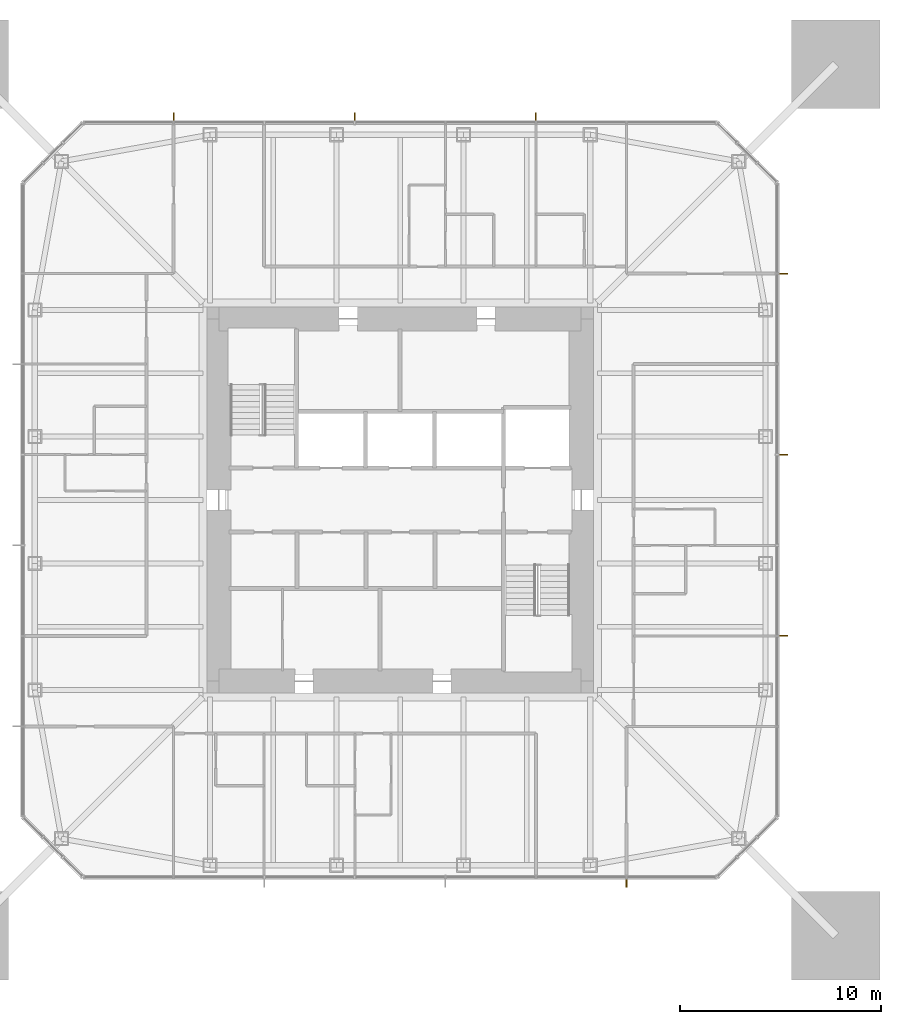
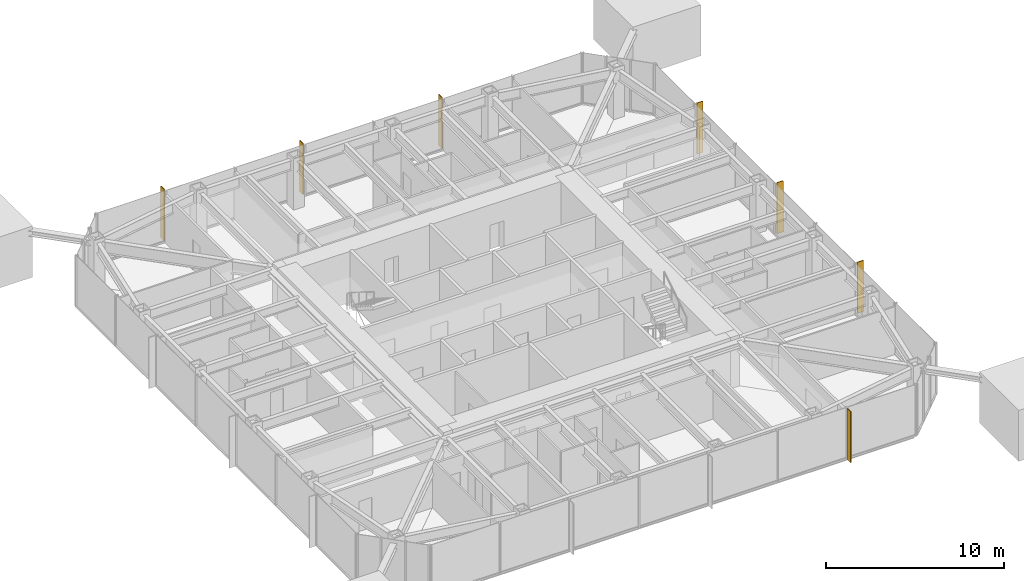
# One storey, part 11 of 11: 7 shading devices.
"""IFC4 building model written with IfcOpenShell, lengths in metres."""

from ifc_helpers import new_model, si_unit, direction, frame, origin, origin_2d, place, context, subcontext, project, spatial, rectangle, extrude, material, layer, layer_set, type_object, element, save


model = new_model("IFC4")

# Units and contexts
model_context = context("Model", 3, precision=1e-05, world=origin(), true_north=direction((0.0, 1.0)))
body_context = subcontext(model_context, "Body", "Model", "MODEL_VIEW")
ifc_project = project(units=[si_unit("LENGTHUNIT", "METRE"), si_unit("AREAUNIT", "SQUARE_METRE"), si_unit("VOLUMEUNIT", "CUBIC_METRE"), si_unit("PLANEANGLEUNIT", "RADIAN"), si_unit("MASSUNIT", "GRAM", prefix="KILO")], contexts=[model_context])

# Site, building, storey
site_placement = place(None, origin())
site = spatial("IfcSite", under=ifc_project, at=site_placement, CompositionType="ELEMENT")
building_placement = place(site_placement, origin())
building = spatial("IfcBuilding", under=site, at=building_placement, Name="Iwan Alto Co-Living Towers", CompositionType="ELEMENT")
storey_placement = place(building_placement, frame((0.0, 0.0, 188.0)))
storey = spatial("IfcBuildingStorey", under=building, at=storey_placement, Name="L51", CompositionType="ELEMENT", Elevation=188.0)

# Shading devices
ifc_material = material(Name="Aluminium 6063-T6 bronze anodised", Category="aluminium")
ifc_layer = layer(ifc_material, 0.050048828125)
ifc_layer_set = layer_set([ifc_layer], Name="BRONZE FIN 50X400")
shading_device_type = type_object("IfcShadingDeviceType", Name="BRONZE FIN 50X400", PredefinedType="USERDEFINED", material=ifc_layer_set)
for number, where, z_axis, x_axis, name in (
    (1, (11.25, -19.050048828125, 0.0), (0.0, 0.0, 1.0), (1.0, 0.0, 0.0), "Bronze fin L51"),
    (2, (19.050048828125, -6.75, 0.0), (0.0, 0.0, 1.0), (0.0, 1.0, 0.0), "Bronze fin L51"),
    (3, (19.050048828125, 2.25, 0.0), (0.0, 0.0, 1.0), (0.0, 1.0, 0.0), "Bronze fin L51"),
    (4, (19.050048828125, 11.25, 0.0), (0.0, 0.0, 1.0), (0.0, 1.0, 0.0), "Bronze fin L51"),
    (5, (6.75, 19.050048828125, 0.0), (0.0, 0.0, 1.0), (-1.0, 0.0, 0.0), "Bronze fin L51"),
    (6, (-2.25, 19.050048828125, 0.0), (0.0, 0.0, 1.0), (-1.0, 0.0, 0.0), "Bronze fin L51"),
    (7, (-11.25, 19.050048828125, 0.0), (0.0, 0.0, 1.0), (-1.0, 0.0, 0.0), "Bronze fin L51"),
):
    element("IfcShadingDevice", number, at=place(storey_placement, frame(where, z_axis=z_axis, x_axis=x_axis)), inside=storey, type_object=shading_device_type, Name=name, ObjectType="LOUVER", PredefinedType="USERDEFINED", context=body_context, shape_type="SweptSolid", body=[
        extrude(rectangle(XDim=0.050048828125, YDim=0.39990234375, at=origin_2d()), origin(), (0.0, 0.0, 1.0), 3.5),
    ])

save(model, "model.ifc")
